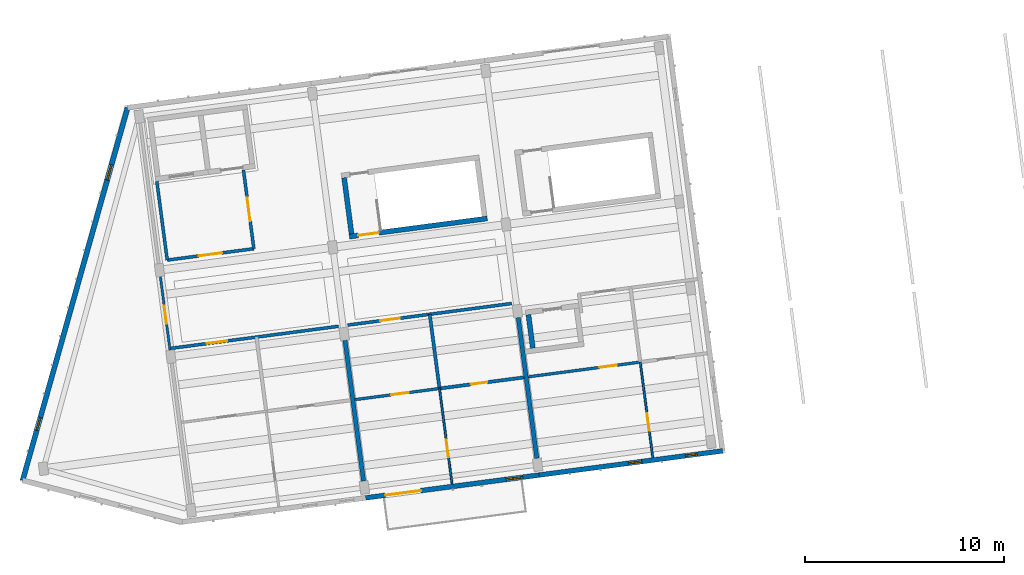
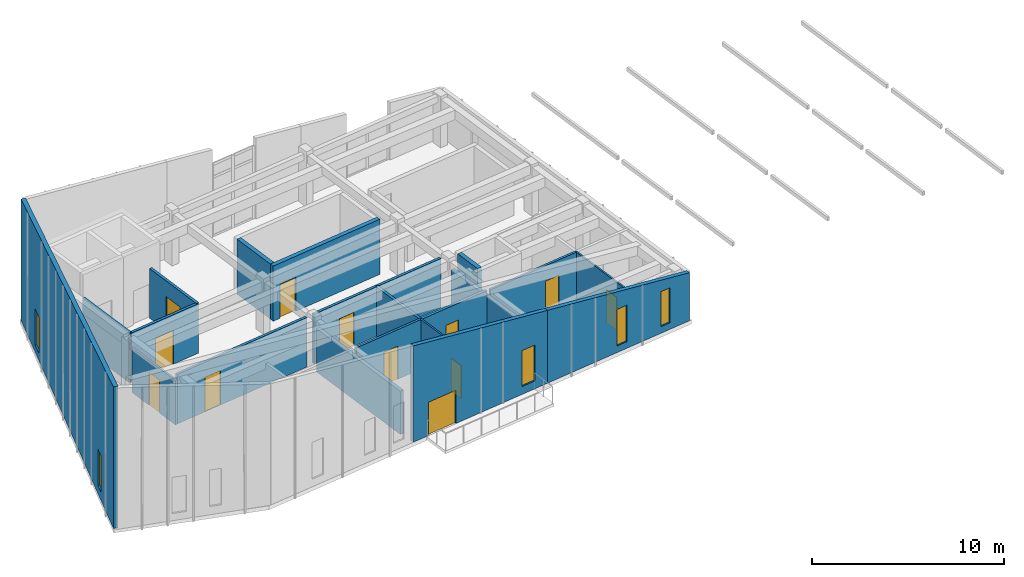
# One storey, part 5 of 10: 20 walls, 12 doors, 5 windows, 17 openings.
"""IFC4 building model written with IfcOpenShell, lengths in metres."""

from ifc_helpers import new_model, si_unit, direction, frame, frame_2d, origin, place, context, subcontext, project, spatial, polyline, rectangle, outline, extrude, material, layer, layer_set, type_object, element, fill, save


model = new_model("IFC4")

# Units and contexts
model_context = context("Model", 3, precision=1e-05, world=origin(), true_north=direction((0.0, 1.0)))
body_context = subcontext(model_context, "Body", "Model", "MODEL_VIEW")
ifc_project = project(units=[si_unit("LENGTHUNIT", "METRE"), si_unit("AREAUNIT", "SQUARE_METRE"), si_unit("VOLUMEUNIT", "CUBIC_METRE"), si_unit("PLANEANGLEUNIT", "RADIAN"), si_unit("MASSUNIT", "GRAM", prefix="KILO")], contexts=[model_context])

# Site, building, storey
site_placement = place(None, origin())
site = spatial("IfcSite", under=ifc_project, at=site_placement, CompositionType="ELEMENT")
building_placement = place(site_placement, origin())
building = spatial("IfcBuilding", under=site, at=building_placement, Name="Kestramere Prow Commons", CompositionType="ELEMENT")
storey_placement = place(building_placement, frame((0.0, 0.0, 44.14990234375)))
storey = spatial("IfcBuildingStorey", under=building, at=storey_placement, Name="L13", CompositionType="ELEMENT", Elevation=44.14990234375)

# Wall, openings, windows
ifc_material_1 = material(Name="Weathered Zinc-Titanium Standing-Seam Cladding")
ifc_layer_1 = layer(ifc_material_1, 0.260009765625)
ifc_layer_set_1 = layer_set([ifc_layer_1], Name="Weathered Zinc-Titanium Standing-Seam Cladding")
wall_type_1 = type_object("IfcWallType", Name="EW-PROW-260", PredefinedType="SOLIDWALL", material=ifc_layer_set_1)
wall_1_placement = place(storey_placement, frame((2.7109375, 73.5048828125, 0.0), z_axis=(0.0, 0.0, 1.0), x_axis=(0.271165263368, 0.962532804606, 0.0)))
wall_1 = element("IfcWall", 1, at=wall_1_placement, inside=storey, type_object=wall_type_1, Name="Block A L13 PRW-N Facet Wall", PredefinedType="SOLIDWALL", context=body_context, shape_type="SweptSolid", body=[
    extrude(outline(polyline([(0.0, 0.0), (19.5068359375, 0.0), (19.5068359375, 7.69677734375), (0.0, 8.999267578125), (0.0, 0.0)])), frame((0.0, 0.1298828125, 0.0), z_axis=(0.0, -1.0, 0.0), x_axis=(1.0, 0.0, 0.0)), (0.0, 0.0, 1.0), 0.260009765625),
])
opening_1_placement = place(wall_1_placement, frame((2.6298828125, 0.0, 0.52001953125)))
opening_1 = element("IfcOpeningElement", 2, at=opening_1_placement, cuts=wall_1, Name="Opening WN-05", PredefinedType="OPENING", context=body_context, shape_type="SweptSolid", body=[
    extrude(rectangle(XDim=0.659912109375, YDim=2.320068359375, at=frame_2d((0.330078125, 1.16015625))), frame((0.0, 0.14501953125, 0.0), z_axis=(0.0, -1.0, 0.0), x_axis=(1.0, 0.0, 0.0)), (0.0, 0.0, 1.0), 0.2900390625),
])
opening_2_placement = place(wall_1_placement, frame((15.716796875, 0.0, 0.449951171875)))
opening_2 = element("IfcOpeningElement", 3, at=opening_2_placement, cuts=wall_1, Name="Opening WN-12", PredefinedType="OPENING", context=body_context, shape_type="SweptSolid", body=[
    extrude(rectangle(XDim=0.800048828125, YDim=2.300048828125, at=frame_2d((0.39990234375, 1.14990234375))), frame((0.0, 0.14501953125, 0.0), z_axis=(0.0, -1.0, 0.0), x_axis=(1.0, 0.0, 0.0)), (0.0, 0.0, 1.0), 0.2900390625),
])
ifc_material_2 = material(Name="Low-E Laminated Double Glazing", Category="glass")
window_type_1 = type_object("IfcWindowType", Name="WN-NAR-660A", PartitioningType="SINGLE_PANEL", PredefinedType="WINDOW", material=ifc_material_2)
window_1_placement = place(opening_1_placement, origin())
window_1 = element("IfcWindow", 4, at=window_1_placement, inside=storey, type_object=window_type_1, Name="WN-A-L13-PRW-N-0", OverallHeight=2.320068359375, OverallWidth=0.659912109375, PartitioningType="SINGLE_PANEL", PredefinedType="WINDOW", context=body_context, shape_type="SweptSolid", body=[
    extrude(rectangle(XDim=0.659912109375, YDim=2.320068359375, at=frame_2d((0.330078125, 1.16015625))), frame((0.0, 0.030029296875, 0.0), z_axis=(0.0, -1.0, 0.0), x_axis=(1.0, 0.0, 0.0)), (0.0, 0.0, 1.0), 0.06005859375),
])
fill(opening_1, window_1)
window_type_2 = type_object("IfcWindowType", Name="WN-NAR-800A", PartitioningType="SINGLE_PANEL", PredefinedType="WINDOW", material=ifc_material_2)
window_2_placement = place(opening_2_placement, origin())
window_2 = element("IfcWindow", 5, at=window_2_placement, inside=storey, type_object=window_type_2, Name="WN-A-L13-PRW-N-1", OverallHeight=2.300048828125, OverallWidth=0.800048828125, PartitioningType="SINGLE_PANEL", PredefinedType="WINDOW", context=body_context, shape_type="SweptSolid", body=[
    extrude(rectangle(XDim=0.800048828125, YDim=2.300048828125, at=frame_2d((0.39990234375, 1.14990234375))), frame((0.0, 0.030029296875, 0.0), z_axis=(0.0, -1.0, 0.0), x_axis=(1.0, 0.0, 0.0)), (0.0, 0.0, 1.0), 0.06005859375),
])
fill(opening_2, window_2)

# Wall, openings, door, window
ifc_material_3 = material(Name="Fluoropolymer Standing-Seam Zinc-Aluminium Cladding", Category="aluminium")
ifc_layer_2 = layer(ifc_material_3, 0.239990234375)
ifc_layer_set_2 = layer_set([ifc_layer_2], Name="Fluoropolymer Standing-Seam Zinc-Aluminium Cladding")
wall_type_2 = type_object("IfcWallType", Name="EW-SEAM-240", PredefinedType="SOLIDWALL", material=ifc_layer_set_2)
wall_2_placement = place(storey_placement, frame((28.718017578125, 73.77685546875, 0.0), z_axis=(0.0, 0.0, 1.0), x_axis=(-0.991444377792, -0.130529865336, 0.0)))
wall_2 = element("IfcWall", 6, at=wall_2_placement, inside=storey, type_object=wall_type_2, Name="Block A L13 South Standing-Seam Wall 2", PredefinedType="SOLIDWALL", context=body_context, shape_type="SweptSolid", body=[
    extrude(outline(polyline([(0.0, 0.0), (8.800048828125, 0.0), (8.800048828125, 6.11865234375), (0.0, 4.62939453125), (0.0, 0.0)])), frame((0.0, 0.1201171875, 0.0), z_axis=(0.0, -1.0, 0.0), x_axis=(1.0, 0.0, 0.0)), (0.0, 0.0, 1.0), 0.239990234375),
])
opening_3_placement = place(wall_2_placement, frame((5.9970703125, 0.0, 0.0)))
opening_3 = element("IfcOpeningElement", 7, at=opening_3_placement, cuts=wall_2, Name="Opening GD-BAL-02", PredefinedType="OPENING", context=body_context, shape_type="SweptSolid", body=[
    extrude(rectangle(XDim=1.800048828125, YDim=2.1201171875, at=frame_2d((0.89990234375, 1.06005859375))), frame((0.0, 0.135009765625, 0.0), z_axis=(0.0, -1.0, 0.0), x_axis=(1.0, 0.0, 0.0)), (0.0, 0.0, 1.0), 0.27001953125),
])
opening_4_placement = place(wall_2_placement, frame((0.830078125, 0.0, 0.5)))
opening_4 = element("IfcOpeningElement", 8, at=opening_4_placement, cuts=wall_2, Name="Opening WN-14", PredefinedType="OPENING", context=body_context, shape_type="SweptSolid", body=[
    extrude(rectangle(XDim=0.840087890625, YDim=2.280029296875, at=frame_2d((0.419921875, 1.14013671875))), frame((0.0, 0.135009765625, 0.0), z_axis=(0.0, -1.0, 0.0), x_axis=(1.0, 0.0, 0.0)), (0.0, 0.0, 1.0), 0.27001953125),
])
ifc_material_4 = material(Name="Thermally-Broken Anodised Aluminium Glazed", Category="aluminium")
door_type_1 = type_object("IfcDoorType", Name="GD-BAL-1800", OperationType="SLIDING_TO_LEFT", PredefinedType="DOOR", material=ifc_material_4)
door_1_placement = place(opening_3_placement, origin())
door_1 = element("IfcDoor", 9, at=door_1_placement, inside=storey, type_object=door_type_1, Name="Block A L13 Balcony Door 2", OperationType="SLIDING_TO_LEFT", OverallHeight=2.1201171875, OverallWidth=1.800048828125, PredefinedType="DOOR", context=body_context, shape_type="SweptSolid", body=[
    extrude(rectangle(XDim=1.800048828125, YDim=2.1201171875, at=frame_2d((0.89990234375, 1.06005859375))), frame((0.0, 0.02490234375, 0.0), z_axis=(0.0, -1.0, 0.0), x_axis=(1.0, 0.0, 0.0)), (0.0, 0.0, 1.0), 0.050048828125),
])
fill(opening_3, door_1)
window_type_3 = type_object("IfcWindowType", Name="WN-NAR-840A", PartitioningType="DOUBLE_PANEL_VERTICAL", PredefinedType="WINDOW", material=ifc_material_2)
window_3_placement = place(opening_4_placement, origin())
window_3 = element("IfcWindow", 10, at=window_3_placement, inside=storey, type_object=window_type_3, Name="WN-A-L13-SR-1", OverallHeight=2.280029296875, OverallWidth=0.840087890625, PartitioningType="SINGLE_PANEL", PredefinedType="WINDOW", context=body_context, shape_type="SweptSolid", body=[
    extrude(rectangle(XDim=0.840087890625, YDim=2.280029296875, at=frame_2d((0.419921875, 1.14013671875))), frame((0.0, 0.030029296875, 0.0), z_axis=(0.0, -1.0, 0.0), x_axis=(1.0, 0.0, 0.0)), (0.0, 0.0, 1.0), 0.06005859375),
])
fill(opening_4, window_3)

# Wall, openings, windows
wall_3_placement = place(storey_placement, frame((37.963134765625, 74.993896484375, 0.0), z_axis=(0.0, 0.0, 1.0), x_axis=(-0.991446273426, -0.130515466173, 0.0)))
wall_3 = element("IfcWall", 11, at=wall_3_placement, inside=storey, type_object=wall_type_2, Name="Block A L13 South Standing-Seam Wall 3", PredefinedType="SOLIDWALL", context=body_context, shape_type="SweptSolid", body=[
    extrude(outline(polyline([(0.0, 0.0), (9.324951171875, 0.0), (9.324951171875, 4.62939453125), (0.0, 3.051025390625), (0.0, 0.0)])), frame((0.0, 0.1201171875, 0.0), z_axis=(0.0, -1.0, 0.0), x_axis=(1.0, 0.0, 0.0)), (0.0, 0.0, 1.0), 0.239990234375),
])
opening_5_placement = place(wall_3_placement, frame((1.284912109375, 0.0, 0.419921875)))
opening_5 = element("IfcOpeningElement", 12, at=opening_5_placement, cuts=wall_3, Name="Opening WN-02", PredefinedType="OPENING", context=body_context, shape_type="SweptSolid", body=[
    extrude(rectangle(XDim=0.60009765625, YDim=2.219970703125, at=frame_2d((0.300048828125, 1.10986328125))), frame((0.0, 0.135009765625, 0.0), z_axis=(0.0, -1.0, 0.0), x_axis=(1.0, 0.0, 0.0)), (0.0, 0.0, 1.0), 0.27001953125),
])
opening_6_placement = place(wall_3_placement, frame((4.110107421875, 0.0, 0.419921875)))
opening_6 = element("IfcOpeningElement", 13, at=opening_6_placement, cuts=wall_3, Name="Opening WN-05", PredefinedType="OPENING", context=body_context, shape_type="SweptSolid", body=[
    extrude(rectangle(XDim=0.659912109375, YDim=2.320068359375, at=frame_2d((0.330078125, 1.16015625))), frame((0.0, 0.135009765625, 0.0), z_axis=(0.0, -1.0, 0.0), x_axis=(1.0, 0.0, 0.0)), (0.0, 0.0, 1.0), 0.27001953125),
])
window_type_4 = type_object("IfcWindowType", Name="WN-NAR-600A", PartitioningType="SINGLE_PANEL", PredefinedType="WINDOW", material=ifc_material_2)
window_4_placement = place(opening_5_placement, origin())
window_4 = element("IfcWindow", 14, at=window_4_placement, inside=storey, type_object=window_type_4, Name="WN-A-L13-S-2-00", OverallHeight=2.219970703125, OverallWidth=0.60009765625, PartitioningType="SINGLE_PANEL", PredefinedType="WINDOW", context=body_context, shape_type="SweptSolid", body=[
    extrude(rectangle(XDim=0.60009765625, YDim=2.219970703125, at=frame_2d((0.300048828125, 1.10986328125))), frame((0.0, 0.030029296875, 0.0), z_axis=(0.0, -1.0, 0.0), x_axis=(1.0, 0.0, 0.0)), (0.0, 0.0, 1.0), 0.06005859375),
])
fill(opening_5, window_4)
window_5_placement = place(opening_6_placement, origin())
window_5 = element("IfcWindow", 15, at=window_5_placement, inside=storey, type_object=window_type_1, Name="WN-A-L13-S-2-10", OverallHeight=2.320068359375, OverallWidth=0.659912109375, PartitioningType="SINGLE_PANEL", PredefinedType="WINDOW", context=body_context, shape_type="SweptSolid", body=[
    extrude(rectangle(XDim=0.659912109375, YDim=2.320068359375, at=frame_2d((0.330078125, 1.16015625))), frame((0.0, 0.030029296875, 0.0), z_axis=(0.0, -1.0, 0.0), x_axis=(1.0, 0.0, 0.0)), (0.0, 0.0, 1.0), 0.06005859375),
])
fill(opening_6, window_5)

# Wall, opening, door
ifc_material_5 = material(Name="Concrete C40/50", Category="concrete")
ifc_layer_3 = layer(ifc_material_5, 0.25)
ifc_layer_set_3 = layer_set([ifc_layer_3], Name="Concrete C40/50")
wall_type_3 = type_object("IfcWallType", Name="W-CORE-250", PredefinedType="SHEAR", material=ifc_layer_set_3)
wall_4_placement = place(storey_placement, frame((19.169189453125, 85.783203125, 0.0), z_axis=(0.0, 0.0, 1.0), x_axis=(0.991446458634, 0.130514059249, 0.0)))
wall_4 = element("IfcWall", 16, at=wall_4_placement, inside=storey, type_object=wall_type_3, Name="ST-A1 L13 Corridor Shaft Wall", PredefinedType="SHEAR", context=body_context, shape_type="SweptSolid", body=[
    extrude(rectangle(XDim=6.999755859375, YDim=0.25, at=frame_2d((3.5, 0.0))), origin(), (0.0, 0.0, 1.0), 3.5),
])
opening_7_placement = place(wall_4_placement, frame((0.449951171875, 0.0, 0.0)))
opening_7 = element("IfcOpeningElement", 17, at=opening_7_placement, cuts=wall_4, Name="Opening ID-01", PredefinedType="OPENING", context=body_context, shape_type="SweptSolid", body=[
    extrude(rectangle(XDim=1.050048828125, YDim=2.14990234375, at=frame_2d((0.52490234375, 1.074951171875))), frame((0.0, 0.139892578125, 0.0), z_axis=(0.0, -1.0, 0.0), x_axis=(1.0, 0.0, 0.0)), (0.0, 0.0, 1.0), 0.280029296875),
])
ifc_material_6 = material(Name="Fire-Rated Timber and Steel Frame", Category="steel")
door_type_2 = type_object("IfcDoorType", Name="FD-ST-01", OperationType="NOTDEFINED", PredefinedType="DOOR", material=ifc_material_6)
door_2_placement = place(opening_7_placement, origin())
door_2 = element("IfcDoor", 18, at=door_2_placement, inside=storey, type_object=door_type_2, Name="ST-A1 L13 Protected Stair Door", OperationType="SINGLE_SWING_RIGHT", OverallHeight=2.14990234375, OverallWidth=1.050048828125, PredefinedType="DOOR", context=body_context, shape_type="SweptSolid", body=[
    extrude(rectangle(XDim=1.050048828125, YDim=2.14990234375, at=frame_2d((0.52490234375, 1.074951171875))), frame((0.0, 0.02490234375, 0.0), z_axis=(0.0, -1.0, 0.0), x_axis=(1.0, 0.0, 0.0)), (0.0, 0.0, 1.0), 0.050048828125),
])
fill(opening_7, door_2)

# Wall
wall_5_placement = place(storey_placement, frame((19.27685546875, 85.92333984375, 0.0), z_axis=(0.0, 0.0, 1.0), x_axis=(-0.130547578832, 0.991442045538, 0.0)))
element("IfcWall", 19, at=wall_5_placement, inside=storey, type_object=wall_type_3, Name="ST-A1 L13 Near Shaft Wall", PredefinedType="SHEAR", context=body_context, shape_type="SweptSolid", body=[
    extrude(rectangle(XDim=2.85009765625, YDim=0.25, at=frame_2d((1.425048828125, 0.0))), origin(), (0.0, 0.0, 1.0), 3.5),
])

# Wall, opening, door
ifc_material_7 = material(Name="Fire-Rated Calcium Silicate Wall")
ifc_layer_4 = layer(ifc_material_7, 0.155029296875)
ifc_layer_set_4 = layer_set([ifc_layer_4], Name="Fire-Rated Calcium Silicate Wall")
wall_type_4 = type_object("IfcWallType", Name="W-FIRE-150", PredefinedType="PARTITIONING", material=ifc_layer_set_4)
wall_6_placement = place(storey_placement, frame((9.994873046875, 84.6005859375, 0.0), z_axis=(0.0, 0.0, 1.0), x_axis=(0.991448440179, 0.130499005613, 0.0)))
wall_6 = element("IfcWall", 20, at=wall_6_placement, inside=storey, type_object=wall_type_4, Name="Interior Partition PW-A-L13-FFL-S", PredefinedType="PARTITIONING", context=body_context, shape_type="SweptSolid", body=[
    extrude(rectangle(XDim=4.400146484375, YDim=0.155029296875, at=frame_2d((2.2001953125, 0.0))), origin(), (0.0, 0.0, 1.0), 3.150146484375),
])
opening_8_placement = place(wall_6_placement, frame((1.60009765625, 0.0, 0.0)))
opening_8 = element("IfcOpeningElement", 21, at=opening_8_placement, cuts=wall_6, Name="Opening ID-03", PredefinedType="OPENING", context=body_context, shape_type="SweptSolid", body=[
    extrude(rectangle(XDim=1.179931640625, YDim=2.14990234375, at=frame_2d((0.58984375, 1.074951171875))), frame((0.0, 0.092529296875, 0.0), z_axis=(0.0, -1.0, 0.0), x_axis=(1.0, 0.0, 0.0)), (0.0, 0.0, 1.0), 0.18505859375),
])
ifc_material_8 = material(Name="Fire-Rated Glazed Smoke-Stop Door")
door_type_3 = type_object("IfcDoorType", Name="FD-LB-01", OperationType="NOTDEFINED", PredefinedType="DOOR", material=ifc_material_8)
door_3_placement = place(opening_8_placement, origin())
door_3 = element("IfcDoor", 22, at=door_3_placement, inside=storey, type_object=door_type_3, Name="Interior Door DR-A-L13-FFL", OperationType="SINGLE_SWING_RIGHT", OverallHeight=2.14990234375, OverallWidth=1.179931640625, PredefinedType="DOOR", context=body_context, shape_type="SweptSolid", body=[
    extrude(rectangle(XDim=1.179931640625, YDim=2.14990234375, at=frame_2d((0.58984375, 1.074951171875))), frame((0.0, 0.02490234375, 0.0), z_axis=(0.0, -1.0, 0.0), x_axis=(1.0, 0.0, 0.0)), (0.0, 0.0, 1.0), 0.050048828125),
])
fill(opening_8, door_3)

# Wall
wall_7_placement = place(storey_placement, frame((9.994873046875, 84.6005859375, 0.0), z_axis=(0.0, 0.0, 1.0), x_axis=(-0.130492404742, 0.991449308994, 0.0)))
element("IfcWall", 23, at=wall_7_placement, inside=storey, type_object=wall_type_4, Name="Interior Partition PW-A-L13-FFL-W", PredefinedType="PARTITIONING", context=body_context, shape_type="SweptSolid", body=[
    extrude(rectangle(XDim=4.0, YDim=0.155029296875, at=frame_2d((2.0, 0.0))), origin(), (0.0, 0.0, 1.0), 3.150146484375),
])

# Wall, opening, door
wall_8_placement = place(storey_placement, frame((14.357421875, 85.1748046875, 0.0), z_axis=(0.0, 0.0, 1.0), x_axis=(-0.130552399509, 0.991441410766, 0.0)))
wall_8 = element("IfcWall", 24, at=wall_8_placement, inside=storey, type_object=wall_type_4, Name="Interior Partition PW-A-L13-FFL-E", PredefinedType="PARTITIONING", context=body_context, shape_type="SweptSolid", body=[
    extrude(rectangle(XDim=4.0, YDim=0.155029296875, at=frame_2d((2.0, 0.0))), origin(), (0.0, 0.0, 1.0), 3.150146484375),
])
opening_9_placement = place(wall_8_placement, frame((1.39990234375, 0.0, 0.0)))
opening_9 = element("IfcOpeningElement", 25, at=opening_9_placement, cuts=wall_8, Name="Opening ID-03", PredefinedType="OPENING", context=body_context, shape_type="SweptSolid", body=[
    extrude(rectangle(XDim=1.179931640625, YDim=2.14990234375, at=frame_2d((0.58984375, 1.074951171875))), frame((0.0, 0.092529296875, 0.0), z_axis=(0.0, -1.0, 0.0), x_axis=(1.0, 0.0, 0.0)), (0.0, 0.0, 1.0), 0.18505859375),
])
door_4_placement = place(opening_9_placement, origin())
door_4 = element("IfcDoor", 26, at=door_4_placement, inside=storey, type_object=door_type_3, Name="Interior Door DR-A-L13-FFL-PL", OperationType="SINGLE_SWING_LEFT", OverallHeight=2.14990234375, OverallWidth=1.179931640625, PredefinedType="DOOR", context=body_context, shape_type="SweptSolid", body=[
    extrude(rectangle(XDim=1.179931640625, YDim=2.14990234375, at=frame_2d((0.58984375, 1.074951171875))), frame((0.0, 0.02490234375, 0.0), z_axis=(0.0, -1.0, 0.0), x_axis=(1.0, 0.0, 0.0)), (0.0, 0.0, 1.0), 0.050048828125),
])
fill(opening_9, door_4)

wall_9_placement = place(storey_placement, frame((10.196533203125, 80.158935546875, 0.0), z_axis=(0.0, 0.0, 1.0), x_axis=(0.991447642549, 0.130505065361, 0.0)))
wall_9 = element("IfcWall", 27, at=wall_9_placement, inside=storey, type_object=wall_type_4, Name="Interior Partition PW-A-L13-CS-0", PredefinedType="PARTITIONING", context=body_context, shape_type="SweptSolid", body=[
    extrude(rectangle(XDim=8.4951171875, YDim=0.155029296875, at=frame_2d((4.24755859375, 0.0))), origin(), (0.0, 0.0, 1.0), 3.150146484375),
])
opening_10_placement = place(wall_9_placement, frame((1.820068359375, 0.0, 0.0)))
opening_10 = element("IfcOpeningElement", 28, at=opening_10_placement, cuts=wall_9, Name="Opening ID-05", PredefinedType="OPENING", context=body_context, shape_type="SweptSolid", body=[
    extrude(rectangle(XDim=1.02001953125, YDim=2.199951171875, at=frame_2d((0.510009765625, 1.10009765625))), frame((0.0, 0.092529296875, 0.0), z_axis=(0.0, -1.0, 0.0), x_axis=(1.0, 0.0, 0.0)), (0.0, 0.0, 1.0), 0.18505859375),
])
ifc_material_9 = material(Name="Hardwood Fire-Rated Flat Entrance Door", Category="wood")
door_type_4 = type_object("IfcDoorType", Name="FD-ENT-02", OperationType="NOTDEFINED", PredefinedType="DOOR", material=ifc_material_9)
door_5_placement = place(opening_10_placement, origin())
door_5 = element("IfcDoor", 29, at=door_5_placement, inside=storey, type_object=door_type_4, Name="Interior Door DR-A-L13-ENT-S0", OperationType="SINGLE_SWING_RIGHT", OverallHeight=2.199951171875, OverallWidth=1.02001953125, PredefinedType="DOOR", context=body_context, shape_type="SweptSolid", body=[
    extrude(rectangle(XDim=1.02001953125, YDim=2.199951171875, at=frame_2d((0.510009765625, 1.10009765625))), frame((0.0, 0.02490234375, 0.0), z_axis=(0.0, -1.0, 0.0), x_axis=(1.0, 0.0, 0.0)), (0.0, 0.0, 1.0), 0.050048828125),
])
fill(opening_10, door_5)

wall_10_placement = place(storey_placement, frame((19.084716796875, 81.3291015625, 0.0), z_axis=(0.0, 0.0, 1.0), x_axis=(0.991446911972, 0.130510615437, 0.0)))
wall_10 = element("IfcWall", 30, at=wall_10_placement, inside=storey, type_object=wall_type_4, Name="Interior Partition PW-A-L13-CS-1", PredefinedType="PARTITIONING", context=body_context, shape_type="SweptSolid", body=[
    extrude(rectangle(XDim=8.330078125, YDim=0.155029296875, at=frame_2d((4.1650390625, 0.0))), origin(), (0.0, 0.0, 1.0), 3.150146484375),
])
opening_11_placement = place(wall_10_placement, frame((1.655029296875, 0.0, 0.0)))
opening_11 = element("IfcOpeningElement", 31, at=opening_11_placement, cuts=wall_10, Name="Opening ID-04", PredefinedType="OPENING", context=body_context, shape_type="SweptSolid", body=[
    extrude(rectangle(XDim=0.97998046875, YDim=2.14990234375, at=frame_2d((0.489990234375, 1.074951171875))), frame((0.0, 0.092529296875, 0.0), z_axis=(0.0, -1.0, 0.0), x_axis=(1.0, 0.0, 0.0)), (0.0, 0.0, 1.0), 0.18505859375),
])
door_type_5 = type_object("IfcDoorType", Name="FD-ENT-01", OperationType="NOTDEFINED", PredefinedType="DOOR", material=ifc_material_9)
door_6_placement = place(opening_11_placement, origin())
door_6 = element("IfcDoor", 32, at=door_6_placement, inside=storey, type_object=door_type_5, Name="Interior Door DR-A-L13-ENT-S1", OperationType="SINGLE_SWING_LEFT", OverallHeight=2.14990234375, OverallWidth=0.97998046875, PredefinedType="DOOR", context=body_context, shape_type="SweptSolid", body=[
    extrude(rectangle(XDim=0.97998046875, YDim=2.14990234375, at=frame_2d((0.489990234375, 1.074951171875))), frame((0.0, 0.02490234375, 0.0), z_axis=(0.0, -1.0, 0.0), x_axis=(1.0, 0.0, 0.0)), (0.0, 0.0, 1.0), 0.050048828125),
])
fill(opening_11, door_6)

# Wall
ifc_layer_5 = layer(ifc_material_5, 0.25)
ifc_layer_set_5 = layer_set([ifc_layer_5], Name="Concrete C40/50")
wall_type_5 = type_object("IfcWallType", Name="W-HS-250", PredefinedType="SHEAR", material=ifc_layer_set_5)
wall_11_placement = place(storey_placement, frame((28.40625, 80.165771484375, 0.0), z_axis=(0.0, 0.0, 1.0), x_axis=(-0.130413643681, 0.991459672171, 0.0)))
element("IfcWall", 33, at=wall_11_placement, inside=storey, type_object=wall_type_5, Name="Block A L13 Household Shelter W Wall", PredefinedType="SHEAR", context=body_context, shape_type="SweptSolid", body=[
    extrude(rectangle(XDim=1.69970703125, YDim=0.25, at=frame_2d((0.849853515625, 0.0))), origin(), (0.0, 0.0, 1.0), 3.5),
])

# Wall, opening, door
ifc_material_10 = material(Name="Gypsum Acoustic Drywall")
ifc_layer_6 = layer(ifc_material_10, 0.10009765625)
ifc_layer_set_6 = layer_set([ifc_layer_6], Name="Gypsum Acoustic Drywall")
wall_type_6 = type_object("IfcWallType", Name="W-PART-100", PredefinedType="PARTITIONING", material=ifc_layer_set_6)
wall_12_placement = place(storey_placement, frame((24.337890625, 73.336181640625, 0.0), z_axis=(0.0, 0.0, 1.0), x_axis=(-0.130494962676, 0.991448972321, 0.0)))
wall_12 = element("IfcWall", 34, at=wall_12_placement, inside=storey, type_object=wall_type_6, Name="Interior Partition PW-A-L13-LB-S1", PredefinedType="PARTITIONING", context=body_context, shape_type="SweptSolid", body=[
    extrude(rectangle(XDim=4.840087890625, YDim=0.10009765625, at=frame_2d((2.419921875, 0.0))), origin(), (0.0, 0.0, 1.0), 3.150146484375),
])
opening_12_placement = place(wall_12_placement, frame((1.35009765625, 0.0, 0.0)))
opening_12 = element("IfcOpeningElement", 35, at=opening_12_placement, cuts=wall_12, Name="Opening ID-10", PredefinedType="OPENING", context=body_context, shape_type="SweptSolid", body=[
    extrude(rectangle(XDim=0.8798828125, YDim=2.10009765625, at=frame_2d((0.43994140625, 1.050048828125))), frame((0.0, 0.06494140625, 0.0), z_axis=(0.0, -1.0, 0.0), x_axis=(1.0, 0.0, 0.0)), (0.0, 0.0, 1.0), 0.130126953125),
])
ifc_material_11 = material(Name="Engineered Timber Bedroom Door", Category="wood")
door_type_6 = type_object("IfcDoorType", Name="D-RM-03", OperationType="NOTDEFINED", PredefinedType="DOOR", material=ifc_material_11)
door_7_placement = place(opening_12_placement, origin())
door_7 = element("IfcDoor", 36, at=door_7_placement, inside=storey, type_object=door_type_6, Name="Interior Door DR-A-L13-BED-S1", OperationType="SINGLE_SWING_RIGHT", OverallHeight=2.10009765625, OverallWidth=0.8798828125, PredefinedType="DOOR", context=body_context, shape_type="SweptSolid", body=[
    extrude(rectangle(XDim=0.8798828125, YDim=2.10009765625, at=frame_2d((0.43994140625, 1.050048828125))), frame((0.0, 0.02490234375, 0.0), z_axis=(0.0, -1.0, 0.0), x_axis=(1.0, 0.0, 0.0)), (0.0, 0.0, 1.0), 0.050048828125),
])
fill(opening_12, door_7)

wall_13_placement = place(storey_placement, frame((34.44580078125, 74.6669921875, 0.0), z_axis=(0.0, 0.0, 1.0), x_axis=(-0.130544545786, 0.991442444908, 0.0)))
wall_13 = element("IfcWall", 37, at=wall_13_placement, inside=storey, type_object=wall_type_6, Name="Interior Partition PW-A-L13-LB-S2", PredefinedType="PARTITIONING", context=body_context, shape_type="SweptSolid", body=[
    extrude(rectangle(XDim=4.840087890625, YDim=0.10009765625, at=frame_2d((2.419921875, 0.0))), origin(), (0.0, 0.0, 1.0), 3.0849609375),
])
opening_13_placement = place(wall_13_placement, frame((1.35009765625, 0.0, 0.0)))
opening_13 = element("IfcOpeningElement", 38, at=opening_13_placement, cuts=wall_13, Name="Opening ID-10", PredefinedType="OPENING", context=body_context, shape_type="SweptSolid", body=[
    extrude(rectangle(XDim=0.8798828125, YDim=2.10009765625, at=frame_2d((0.43994140625, 1.050048828125))), frame((0.0, 0.06494140625, 0.0), z_axis=(0.0, -1.0, 0.0), x_axis=(1.0, 0.0, 0.0)), (0.0, 0.0, 1.0), 0.130126953125),
])
door_8_placement = place(opening_13_placement, origin())
door_8 = element("IfcDoor", 39, at=door_8_placement, inside=storey, type_object=door_type_6, Name="Interior Door DR-A-L13-BED-S2", OperationType="SINGLE_SWING_LEFT", OverallHeight=2.10009765625, OverallWidth=0.8798828125, PredefinedType="DOOR", context=body_context, shape_type="SweptSolid", body=[
    extrude(rectangle(XDim=0.8798828125, YDim=2.10009765625, at=frame_2d((0.43994140625, 1.050048828125))), frame((0.0, 0.02490234375, 0.0), z_axis=(0.0, -1.0, 0.0), x_axis=(1.0, 0.0, 0.0)), (0.0, 0.0, 1.0), 0.050048828125),
])
fill(opening_13, door_8)

ifc_material_12 = material(Name="Lightweight Blockwork and Plaster", Category="masonry")
ifc_layer_7 = layer(ifc_material_12, 0.1201171875)
ifc_layer_set_7 = layer_set([ifc_layer_7], Name="Lightweight Blockwork and Plaster")
wall_type_7 = type_object("IfcWallType", Name="W-PART-120", PredefinedType="PARTITIONING", material=ifc_layer_set_7)
wall_14_placement = place(storey_placement, frame((10.13818359375, 80.0654296875, 0.0), z_axis=(0.0, 0.0, 1.0), x_axis=(-0.130517160134, 0.991446050429, 0.0)))
wall_14 = element("IfcWall", 40, at=wall_14_placement, inside=storey, type_object=wall_type_7, Name="Interior Partition PW-A-L13-PROW-ACC", PredefinedType="PARTITIONING", context=body_context, shape_type="SweptSolid", body=[
    extrude(rectangle(XDim=3.72998046875, YDim=0.1201171875, at=frame_2d((1.864990234375, 0.0))), origin(), (0.0, 0.0, 1.0), 2.830078125),
])
opening_14_placement = place(wall_14_placement, frame((1.35009765625, 0.0, 0.0)))
opening_14 = element("IfcOpeningElement", 41, at=opening_14_placement, cuts=wall_14, Name="Opening ID-08", PredefinedType="OPENING", context=body_context, shape_type="SweptSolid", body=[
    extrude(rectangle(XDim=0.89990234375, YDim=2.10009765625, at=frame_2d((0.449951171875, 1.050048828125))), frame((0.0, 0.074951171875, 0.0), z_axis=(0.0, -1.0, 0.0), x_axis=(1.0, 0.0, 0.0)), (0.0, 0.0, 1.0), 0.150146484375),
])
ifc_material_13 = material(Name="Engineered Timber Flush Door", Category="wood")
door_type_7 = type_object("IfcDoorType", Name="D-RM-01", OperationType="NOTDEFINED", PredefinedType="DOOR", material=ifc_material_13)
door_9_placement = place(opening_14_placement, origin())
door_9 = element("IfcDoor", 42, at=door_9_placement, inside=storey, type_object=door_type_7, Name="Interior Door DR-A-L13-PROW", OperationType="SINGLE_SWING_LEFT", OverallHeight=2.10009765625, OverallWidth=0.89990234375, PredefinedType="DOOR", context=body_context, shape_type="SweptSolid", body=[
    extrude(rectangle(XDim=0.89990234375, YDim=2.10009765625, at=frame_2d((0.449951171875, 1.050048828125))), frame((0.0, 0.02490234375, 0.0), z_axis=(0.0, -1.0, 0.0), x_axis=(1.0, 0.0, 0.0)), (0.0, 0.0, 1.0), 0.050048828125),
])
fill(opening_14, door_9)

ifc_material_14 = material(Name="Masonry Compartment Wall", Category="masonry")
ifc_layer_8 = layer(ifc_material_14, 0.139892578125)
ifc_layer_set_8 = layer_set([ifc_layer_8], Name="Masonry Compartment Wall")
wall_type_8 = type_object("IfcWallType", Name="W-PART-140", PredefinedType="PARTITIONING", material=ifc_layer_set_8)
wall_15_placement = place(storey_placement, frame((19.4580078125, 77.57568359375, 0.0), z_axis=(0.0, 0.0, 1.0), x_axis=(0.991451386343, 0.130476620581, 0.0)))
wall_15 = element("IfcWall", 43, at=wall_15_placement, inside=storey, type_object=wall_type_8, Name="Interior Partition PW-A-L13-MIDS1-1", PredefinedType="PARTITIONING", context=body_context, shape_type="SweptSolid", body=[
    extrude(rectangle(XDim=4.284912109375, YDim=0.139892578125, at=frame_2d((2.142578125, 0.0))), origin(), (0.0, 0.0, 1.0), 3.150146484375),
])
opening_15_placement = place(wall_15_placement, frame((1.824951171875, 0.0, 0.0)))
opening_15 = element("IfcOpeningElement", 44, at=opening_15_placement, cuts=wall_15, Name="Opening ID-08", PredefinedType="OPENING", context=body_context, shape_type="SweptSolid", body=[
    extrude(rectangle(XDim=0.89990234375, YDim=2.10009765625, at=frame_2d((0.449951171875, 1.050048828125))), frame((0.0, 0.0849609375, 0.0), z_axis=(0.0, -1.0, 0.0), x_axis=(1.0, 0.0, 0.0)), (0.0, 0.0, 1.0), 0.169921875),
])
door_10_placement = place(opening_15_placement, origin())
door_10 = element("IfcDoor", 45, at=door_10_placement, inside=storey, type_object=door_type_7, Name="Interior Door DR-A-L13-KL-S1", OperationType="SINGLE_SWING_RIGHT", OverallHeight=2.10009765625, OverallWidth=0.89990234375, PredefinedType="DOOR", context=body_context, shape_type="SweptSolid", body=[
    extrude(rectangle(XDim=0.89990234375, YDim=2.10009765625, at=frame_2d((0.449951171875, 1.050048828125))), frame((0.0, 0.02490234375, 0.0), z_axis=(0.0, -1.0, 0.0), x_axis=(1.0, 0.0, 0.0)), (0.0, 0.0, 1.0), 0.050048828125),
])
fill(opening_15, door_10)

wall_16_placement = place(storey_placement, frame((28.1826171875, 78.72412109375, 0.0), z_axis=(0.0, 0.0, 1.0), x_axis=(0.991443173156, 0.130539014865, 0.0)))
wall_16 = element("IfcWall", 46, at=wall_16_placement, inside=storey, type_object=wall_type_8, Name="Interior Partition PW-A-L13-MIDS1-2", PredefinedType="PARTITIONING", context=body_context, shape_type="SweptSolid", body=[
    extrude(rectangle(XDim=5.679931640625, YDim=0.139892578125, at=frame_2d((2.83984375, 0.0))), origin(), (0.0, 0.0, 1.0), 3.0849609375),
])
opening_16_placement = place(wall_16_placement, frame((3.594970703125, 0.0, 0.0)))
opening_16 = element("IfcOpeningElement", 47, at=opening_16_placement, cuts=wall_16, Name="Opening ID-08", PredefinedType="OPENING", context=body_context, shape_type="SweptSolid", body=[
    extrude(rectangle(XDim=0.89990234375, YDim=2.10009765625, at=frame_2d((0.449951171875, 1.050048828125))), frame((0.0, 0.0849609375, 0.0), z_axis=(0.0, -1.0, 0.0), x_axis=(1.0, 0.0, 0.0)), (0.0, 0.0, 1.0), 0.169921875),
])
door_11_placement = place(opening_16_placement, origin())
door_11 = element("IfcDoor", 48, at=door_11_placement, inside=storey, type_object=door_type_7, Name="Interior Door DR-A-L13-KL-S2", OperationType="SINGLE_SWING_RIGHT", OverallHeight=2.10009765625, OverallWidth=0.89990234375, PredefinedType="DOOR", context=body_context, shape_type="SweptSolid", body=[
    extrude(rectangle(XDim=0.89990234375, YDim=2.10009765625, at=frame_2d((0.449951171875, 1.050048828125))), frame((0.0, 0.02490234375, 0.0), z_axis=(0.0, -1.0, 0.0), x_axis=(1.0, 0.0, 0.0)), (0.0, 0.0, 1.0), 0.050048828125),
])
fill(opening_16, door_11)

ifc_material_15 = material(Name="Waterproof Sanitary Masonry Wall", Category="masonry")
ifc_layer_9 = layer(ifc_material_15, 0.1650390625)
ifc_layer_set_9 = layer_set([ifc_layer_9], Name="Waterproof Sanitary Masonry Wall")
wall_type_9 = type_object("IfcWallType", Name="W-PLUMB-150", PredefinedType="PLUMBINGWALL", material=ifc_layer_set_9)
wall_17_placement = place(storey_placement, frame((23.706298828125, 78.134765625, 0.0), z_axis=(0.0, 0.0, 1.0), x_axis=(0.991444014242, 0.130532626667, 0.0)))
wall_17 = element("IfcWall", 49, at=wall_17_placement, inside=storey, type_object=wall_type_9, Name="Interior Partition PW-A-L13-MIDS2-1", PredefinedType="PLUMBINGWALL", context=body_context, shape_type="SweptSolid", body=[
    extrude(rectangle(XDim=4.284912109375, YDim=0.1650390625, at=frame_2d((2.142578125, 0.0))), origin(), (0.0, 0.0, 1.0), 3.150146484375),
])
opening_17_placement = place(wall_17_placement, frame((1.60009765625, 0.0, 0.0)))
opening_17 = element("IfcOpeningElement", 50, at=opening_17_placement, cuts=wall_17, Name="Opening ID-11", PredefinedType="OPENING", context=body_context, shape_type="SweptSolid", body=[
    extrude(rectangle(XDim=0.820068359375, YDim=2.080078125, at=frame_2d((0.41015625, 1.0400390625))), frame((0.0, 0.097412109375, 0.0), z_axis=(0.0, -1.0, 0.0), x_axis=(1.0, 0.0, 0.0)), (0.0, 0.0, 1.0), 0.195068359375),
])
ifc_material_16 = material(Name="Moisture-Resistant Timber Bathroom Door", Category="wood")
door_type_8 = type_object("IfcDoorType", Name="D-BT-01", OperationType="NOTDEFINED", PredefinedType="DOOR", material=ifc_material_16)
door_12_placement = place(opening_17_placement, origin())
door_12 = element("IfcDoor", 51, at=door_12_placement, inside=storey, type_object=door_type_8, Name="Interior Door DR-A-L13-BTH-S1", OperationType="SINGLE_SWING_LEFT", OverallHeight=2.080078125, OverallWidth=0.820068359375, PredefinedType="DOOR", context=body_context, shape_type="SweptSolid", body=[
    extrude(rectangle(XDim=0.820068359375, YDim=2.080078125, at=frame_2d((0.41015625, 1.0400390625))), frame((0.0, 0.02490234375, 0.0), z_axis=(0.0, -1.0, 0.0), x_axis=(1.0, 0.0, 0.0)), (0.0, 0.0, 1.0), 0.050048828125),
])
fill(opening_17, door_12)

# Walls
wall_18_placement = place(storey_placement, frame((23.706298828125, 78.134765625, 0.0), z_axis=(0.0, 0.0, 1.0), x_axis=(-0.130551670646, 0.991441506742, 0.0)))
element("IfcWall", 52, at=wall_18_placement, inside=storey, type_object=wall_type_9, Name="Interior Partition PW-A-L13-KB-S1", PredefinedType="PLUMBINGWALL", context=body_context, shape_type="SweptSolid", body=[
    extrude(rectangle(XDim=3.77001953125, YDim=0.1650390625, at=frame_2d((1.885009765625, 0.0))), origin(), (0.0, 0.0, 1.0), 3.150146484375),
])
ifc_material_17 = material(Name="Precast concrete C40/50", Category="concrete")
ifc_layer_10 = layer(ifc_material_17, 0.219970703125)
ifc_layer_set_10 = layer_set([ifc_layer_10], Name="Precast concrete C40/50")
wall_type_10 = type_object("IfcWallType", Name="W-XWALL-220", PredefinedType="SHEAR", material=ifc_layer_set_10)
for number, where, z_axis, x_axis, name in (
    (53, (19.88232421875, 73.470947265625, 0.0), (0.0, 0.0, 1.0), (-0.130541958643, 0.991442785557, 0.0), "Block A L13 Precast Cross-Wall 1"),
    (54, (28.60693359375, 74.619384765625, 0.0), (0.0, 0.0, 1.0), (-0.130503975686, 0.991447785983, 0.0), "Block A L13 Precast Cross-Wall 2"),
):
    element("IfcWall", number, at=place(storey_placement, frame(where, z_axis=z_axis, x_axis=x_axis)), inside=storey, type_object=wall_type_10, Name=name, PredefinedType="SHEAR", context=body_context, shape_type="SweptSolid", body=[
        extrude(rectangle(XDim=7.14990234375, YDim=0.219970703125, at=frame_2d((3.574951171875, 0.0))), origin(), (0.0, 0.0, 1.0), 2.75),
    ])

save(model, "model.ifc")
